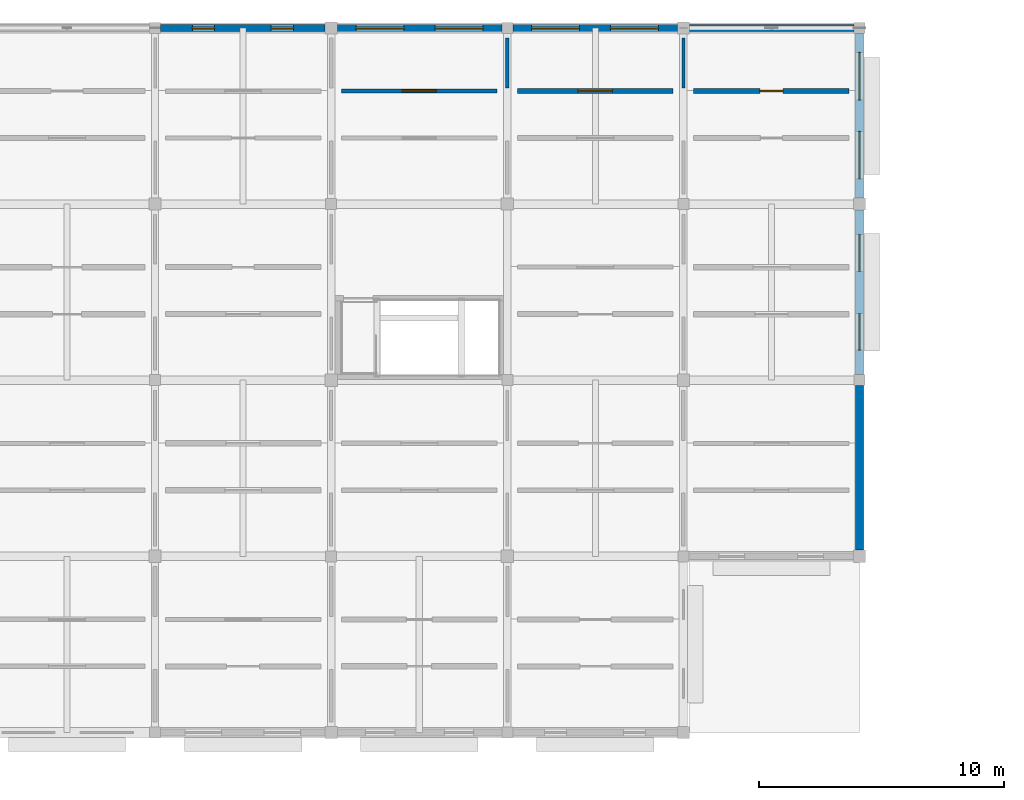
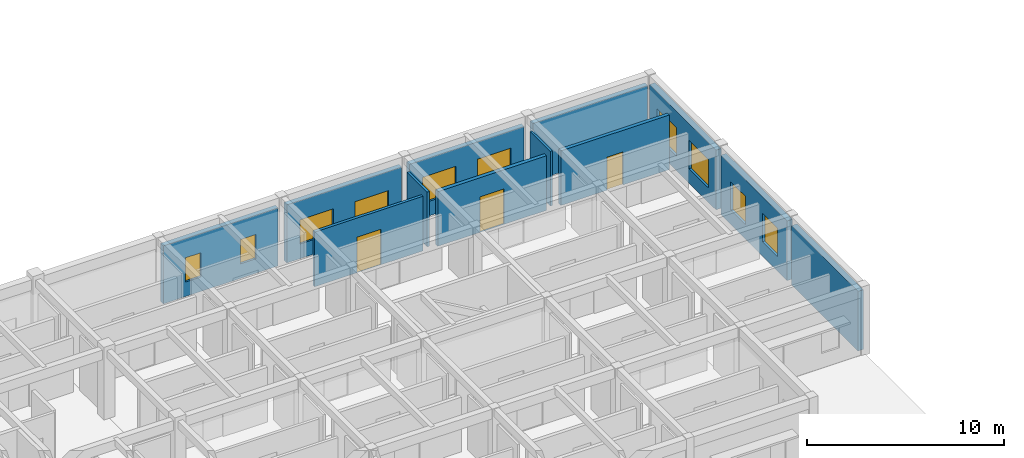
# One storey, part 77 of 91: 12 walls, 10 windows, 3 doors, 13 openings.
"""IFC4 building model written with IfcOpenShell, lengths in metres."""

from ifc_helpers import new_model, si_unit, direction, frame, frame_2d, origin, place, context, subcontext, project, spatial, rectangle, extrude, material, layer, layer_set, type_object, element, fill, save


model = new_model("IFC4")

# Units and contexts
model_context = context("Model", 3, precision=1e-05, world=origin(), true_north=direction((0.0, 1.0)))
body_context = subcontext(model_context, "Body", "Model", "MODEL_VIEW")
ifc_project = project(units=[si_unit("LENGTHUNIT", "METRE"), si_unit("AREAUNIT", "SQUARE_METRE"), si_unit("VOLUMEUNIT", "CUBIC_METRE"), si_unit("PLANEANGLEUNIT", "RADIAN"), si_unit("MASSUNIT", "GRAM", prefix="KILO")], contexts=[model_context])

# Site, building, storey
site_placement = place(None, origin())
site = spatial("IfcSite", under=ifc_project, at=site_placement, CompositionType="ELEMENT")
building_placement = place(site_placement, origin())
building = spatial("IfcBuilding", under=site, at=building_placement, Name="Aldebral Square Health Centre", CompositionType="ELEMENT")
storey_placement = place(building_placement, frame((0.0, 0.0, 9.0)))
storey = spatial("IfcBuildingStorey", under=building, at=storey_placement, Name="L02", CompositionType="ELEMENT", Elevation=9.0)

# Wall, openings, windows
ifc_material_1 = material(Name="Ochre mineral-rendered concrete C35/45 court wall", Category="concrete")
ifc_layer_1 = layer(ifc_material_1, 0.280029296875, Name="Ochre mineral-rendered concrete C35/45 court wall", Category="concrete")
ifc_layer_set_1 = layer_set([ifc_layer_1], Name="Ochre mineral-rendered concrete C35/45 court wall")
wall_type_1 = type_object("IfcWallType", Name="EW-OCH-280", PredefinedType="STANDARD", material=ifc_layer_set_1)
wall_1_placement = place(storey_placement, frame((42.949951171875, 115.199951171875, 0.0), z_axis=(0.0, 0.0, 1.0), x_axis=(-1.0, 0.0, 0.0)))
wall_1 = element("IfcWall", 1, at=wall_1_placement, inside=storey, type_object=wall_type_1, Name="L02 V2 exterior wall L02-V2-05-15-N", PredefinedType="STANDARD", context=body_context, shape_type="SweptSolid", body=[
    extrude(rectangle(XDim=6.724853515625, YDim=0.280029296875, at=frame_2d((3.3623046875, 0.0))), origin(), (0.0, 0.0, 1.0), 3.590087890625),
])
opening_1_placement = place(wall_1_placement, frame((1.300048828125, 0.0, 0.89990234375)))
opening_1 = element("IfcOpeningElement", 2, at=opening_1_placement, cuts=wall_1, Name="Opening W19", PredefinedType="OPENING", context=body_context, shape_type="SweptSolid", body=[
    extrude(rectangle(XDim=0.89990234375, YDim=1.5, at=frame_2d((0.449951171875, 0.75))), frame((0.0, 0.14990234375, 0.0), z_axis=(0.0, -1.0, 0.0), x_axis=(1.0, 0.0, 0.0)), (0.0, 0.0, 1.0), 0.300048828125),
])
opening_2_placement = place(wall_1_placement, frame((4.52490234375, 0.0, 0.89990234375)))
opening_2 = element("IfcOpeningElement", 3, at=opening_2_placement, cuts=wall_1, Name="Opening W19", PredefinedType="OPENING", context=body_context, shape_type="SweptSolid", body=[
    extrude(rectangle(XDim=0.89990234375, YDim=1.5, at=frame_2d((0.449951171875, 0.75))), frame((0.0, 0.14990234375, 0.0), z_axis=(0.0, -1.0, 0.0), x_axis=(1.0, 0.0, 0.0)), (0.0, 0.0, 1.0), 0.300048828125),
])
ifc_material_2 = material(Name="Thermally broken aluminium and low-E glass", Category="aluminium")
window_type_1 = type_object("IfcWindowType", Name="WIN-W19", PartitioningType="SINGLE_PANEL", PredefinedType="WINDOW", material=ifc_material_2)
window_1_placement = place(opening_1_placement, origin())
window_1 = element("IfcWindow", 4, at=window_1_placement, inside=storey, type_object=window_type_1, Name="L02 clinical window L02-V2-05-15-N.1", OverallHeight=1.5, OverallWidth=0.89990234375, PartitioningType="SINGLE_PANEL", PredefinedType="WINDOW", context=body_context, shape_type="SweptSolid", body=[
    extrude(rectangle(XDim=0.89990234375, YDim=1.5, at=frame_2d((0.449951171875, 0.75))), frame((0.0, 0.030029296875, 0.0), z_axis=(0.0, -1.0, 0.0), x_axis=(1.0, 0.0, 0.0)), (0.0, 0.0, 1.0), 0.06005859375),
])
fill(opening_1, window_1)
window_2_placement = place(opening_2_placement, origin())
window_2 = element("IfcWindow", 5, at=window_2_placement, inside=storey, type_object=window_type_1, Name="L02 clinical window L02-V2-05-15-N.2", OverallHeight=1.5, OverallWidth=0.89990234375, PartitioningType="SINGLE_PANEL", PredefinedType="WINDOW", context=body_context, shape_type="SweptSolid", body=[
    extrude(rectangle(XDim=0.89990234375, YDim=1.5, at=frame_2d((0.449951171875, 0.75))), frame((0.0, 0.030029296875, 0.0), z_axis=(0.0, -1.0, 0.0), x_axis=(1.0, 0.0, 0.0)), (0.0, 0.0, 1.0), 0.06005859375),
])
fill(opening_2, window_2)

wall_2_placement = place(storey_placement, frame((50.175048828125, 115.199951171875, 0.0), z_axis=(0.0, 0.0, 1.0), x_axis=(-1.0, 0.0, 0.0)))
wall_2 = element("IfcWall", 6, at=wall_2_placement, inside=storey, type_object=wall_type_1, Name="L02 V2 exterior wall L02-V2-06-15-N", PredefinedType="STANDARD", context=body_context, shape_type="SweptSolid", body=[
    extrude(rectangle(XDim=6.72509765625, YDim=0.280029296875, at=frame_2d((3.362548828125, 0.0))), origin(), (0.0, 0.0, 1.0), 3.590087890625),
])
opening_3_placement = place(wall_2_placement, frame((0.77490234375, 0.0, 0.89990234375)))
opening_3 = element("IfcOpeningElement", 7, at=opening_3_placement, cuts=wall_2, Name="Opening W26", PredefinedType="OPENING", context=body_context, shape_type="SweptSolid", body=[
    extrude(rectangle(XDim=1.949951171875, YDim=1.5, at=frame_2d((0.97509765625, 0.75))), frame((0.0, 0.14990234375, 0.0), z_axis=(0.0, -1.0, 0.0), x_axis=(1.0, 0.0, 0.0)), (0.0, 0.0, 1.0), 0.300048828125),
])
opening_4_placement = place(wall_2_placement, frame((4.0, 0.0, 0.89990234375)))
opening_4 = element("IfcOpeningElement", 8, at=opening_4_placement, cuts=wall_2, Name="Opening W26", PredefinedType="OPENING", context=body_context, shape_type="SweptSolid", body=[
    extrude(rectangle(XDim=1.949951171875, YDim=1.5, at=frame_2d((0.97509765625, 0.75))), frame((0.0, 0.14990234375, 0.0), z_axis=(0.0, -1.0, 0.0), x_axis=(1.0, 0.0, 0.0)), (0.0, 0.0, 1.0), 0.300048828125),
])
window_type_2 = type_object("IfcWindowType", Name="WIN-W26", PartitioningType="SINGLE_PANEL", PredefinedType="WINDOW", material=ifc_material_2)
window_3_placement = place(opening_3_placement, origin())
window_3 = element("IfcWindow", 9, at=window_3_placement, inside=storey, type_object=window_type_2, Name="L02 clinical window L02-V2-06-15-N.1", OverallHeight=1.5, OverallWidth=1.949951171875, PartitioningType="SINGLE_PANEL", PredefinedType="WINDOW", context=body_context, shape_type="SweptSolid", body=[
    extrude(rectangle(XDim=1.949951171875, YDim=1.5, at=frame_2d((0.97509765625, 0.75))), frame((0.0, 0.030029296875, 0.0), z_axis=(0.0, -1.0, 0.0), x_axis=(1.0, 0.0, 0.0)), (0.0, 0.0, 1.0), 0.06005859375),
])
fill(opening_3, window_3)
window_4_placement = place(opening_4_placement, origin())
window_4 = element("IfcWindow", 10, at=window_4_placement, inside=storey, type_object=window_type_2, Name="L02 clinical window L02-V2-06-15-N.2", OverallHeight=1.5, OverallWidth=1.949951171875, PartitioningType="SINGLE_PANEL", PredefinedType="WINDOW", context=body_context, shape_type="SweptSolid", body=[
    extrude(rectangle(XDim=1.949951171875, YDim=1.5, at=frame_2d((0.97509765625, 0.75))), frame((0.0, 0.030029296875, 0.0), z_axis=(0.0, -1.0, 0.0), x_axis=(1.0, 0.0, 0.0)), (0.0, 0.0, 1.0), 0.06005859375),
])
fill(opening_4, window_4)

wall_3_placement = place(storey_placement, frame((57.35009765625, 115.199951171875, 0.0), z_axis=(0.0, 0.0, 1.0), x_axis=(-1.0, 0.0, 0.0)))
wall_3 = element("IfcWall", 11, at=wall_3_placement, inside=storey, type_object=wall_type_1, Name="L02 V2 exterior wall L02-V2-07-15-N", PredefinedType="STANDARD", context=body_context, shape_type="SweptSolid", body=[
    extrude(rectangle(XDim=6.72509765625, YDim=0.280029296875, at=frame_2d((3.362548828125, 0.0))), origin(), (0.0, 0.0, 1.0), 3.590087890625),
])
opening_5_placement = place(wall_3_placement, frame((0.77490234375, 0.0, 0.89990234375)))
opening_5 = element("IfcOpeningElement", 12, at=opening_5_placement, cuts=wall_3, Name="Opening W35", PredefinedType="OPENING", context=body_context, shape_type="SweptSolid", body=[
    extrude(rectangle(XDim=1.949951171875, YDim=1.6201171875, at=frame_2d((0.97509765625, 0.81005859375))), frame((0.0, 0.14990234375, 0.0), z_axis=(0.0, -1.0, 0.0), x_axis=(1.0, 0.0, 0.0)), (0.0, 0.0, 1.0), 0.300048828125),
])
opening_6_placement = place(wall_3_placement, frame((4.0, 0.0, 0.89990234375)))
opening_6 = element("IfcOpeningElement", 13, at=opening_6_placement, cuts=wall_3, Name="Opening W35", PredefinedType="OPENING", context=body_context, shape_type="SweptSolid", body=[
    extrude(rectangle(XDim=1.949951171875, YDim=1.6201171875, at=frame_2d((0.97509765625, 0.81005859375))), frame((0.0, 0.14990234375, 0.0), z_axis=(0.0, -1.0, 0.0), x_axis=(1.0, 0.0, 0.0)), (0.0, 0.0, 1.0), 0.300048828125),
])
window_type_3 = type_object("IfcWindowType", Name="WIN-W35", PartitioningType="SINGLE_PANEL", PredefinedType="WINDOW", material=ifc_material_2)
window_5_placement = place(opening_5_placement, origin())
window_5 = element("IfcWindow", 14, at=window_5_placement, inside=storey, type_object=window_type_3, Name="L02 clinical window L02-V2-07-15-N.1", OverallHeight=1.6201171875, OverallWidth=1.949951171875, PartitioningType="SINGLE_PANEL", PredefinedType="WINDOW", context=body_context, shape_type="SweptSolid", body=[
    extrude(rectangle(XDim=1.949951171875, YDim=1.6201171875, at=frame_2d((0.97509765625, 0.81005859375))), frame((0.0, 0.030029296875, 0.0), z_axis=(0.0, -1.0, 0.0), x_axis=(1.0, 0.0, 0.0)), (0.0, 0.0, 1.0), 0.06005859375),
])
fill(opening_5, window_5)
window_6_placement = place(opening_6_placement, origin())
window_6 = element("IfcWindow", 15, at=window_6_placement, inside=storey, type_object=window_type_3, Name="L02 clinical window L02-V2-07-15-N.2", OverallHeight=1.6201171875, OverallWidth=1.949951171875, PartitioningType="SINGLE_PANEL", PredefinedType="WINDOW", context=body_context, shape_type="SweptSolid", body=[
    extrude(rectangle(XDim=1.949951171875, YDim=1.6201171875, at=frame_2d((0.97509765625, 0.81005859375))), frame((0.0, 0.030029296875, 0.0), z_axis=(0.0, -1.0, 0.0), x_axis=(1.0, 0.0, 0.0)), (0.0, 0.0, 1.0), 0.06005859375),
])
fill(opening_6, window_6)

# Walls
wall_4_placement = place(storey_placement, frame((64.574951171875, 115.199951171875, 0.0), z_axis=(0.0, 0.0, 1.0), x_axis=(-1.0, 0.0, 0.0)))
element("IfcWall", 16, at=wall_4_placement, inside=storey, type_object=wall_type_1, Name="L02 V2 exterior wall L02-V2-08-15-N", PredefinedType="STANDARD", context=body_context, shape_type="SweptSolid", body=[
    extrude(rectangle(XDim=6.724853515625, YDim=0.280029296875, at=frame_2d((3.3623046875, 0.0))), origin(), (0.0, 0.0, 1.0), 3.590087890625),
])
ifc_material_3 = material(Name="Precast concrete C40/50 insulated panel", Category="concrete")
ifc_layer_2 = layer(ifc_material_3, 0.320068359375, Name="Precast concrete C40/50 insulated panel", Category="concrete")
ifc_layer_set_2 = layer_set([ifc_layer_2], Name="Precast concrete C40/50 insulated panel")
wall_type_2 = type_object("IfcWallType", Name="EW-PRE-320", PredefinedType="STANDARD", material=ifc_layer_set_2)
wall_5_placement = place(storey_placement, frame((64.800048828125, 93.85009765625, 0.0), z_axis=(0.0, 0.0, 1.0), x_axis=(0.0, 1.0, 0.0)))
element("IfcWall", 17, at=wall_5_placement, inside=storey, type_object=wall_type_2, Name="L02 V2 exterior wall L02-V2-08-13-E", PredefinedType="STANDARD", context=body_context, shape_type="SweptSolid", body=[
    extrude(rectangle(XDim=6.724853515625, YDim=0.320068359375, at=frame_2d((3.3623046875, 0.0))), origin(), (0.0, 0.0, 1.0), 3.68994140625),
])

# Wall, openings, windows
wall_6_placement = place(storey_placement, frame((64.800048828125, 101.02490234375, 0.0), z_axis=(0.0, 0.0, 1.0), x_axis=(0.0, 1.0, 0.0)))
wall_6 = element("IfcWall", 18, at=wall_6_placement, inside=storey, type_object=wall_type_2, Name="L02 V2 exterior wall L02-V2-08-14-E", PredefinedType="STANDARD", context=body_context, shape_type="SweptSolid", body=[
    extrude(rectangle(XDim=6.72509765625, YDim=0.320068359375, at=frame_2d((3.362548828125, 0.0))), origin(), (0.0, 0.0, 1.0), 3.68994140625),
])
opening_7_placement = place(wall_6_placement, frame((1.0, 0.0, 0.89990234375)))
opening_7 = element("IfcOpeningElement", 19, at=opening_7_placement, cuts=wall_6, Name="Opening W41", PredefinedType="OPENING", context=body_context, shape_type="SweptSolid", body=[
    extrude(rectangle(XDim=1.5, YDim=1.75, at=frame_2d((0.75, 0.875))), frame((0.0, 0.169921875, 0.0), z_axis=(0.0, -1.0, 0.0), x_axis=(1.0, 0.0, 0.0)), (0.0, 0.0, 1.0), 0.340087890625),
])
opening_8_placement = place(wall_6_placement, frame((4.22509765625, 0.0, 0.89990234375)))
opening_8 = element("IfcOpeningElement", 20, at=opening_8_placement, cuts=wall_6, Name="Opening W41", PredefinedType="OPENING", context=body_context, shape_type="SweptSolid", body=[
    extrude(rectangle(XDim=1.5, YDim=1.75, at=frame_2d((0.75, 0.875))), frame((0.0, 0.169921875, 0.0), z_axis=(0.0, -1.0, 0.0), x_axis=(1.0, 0.0, 0.0)), (0.0, 0.0, 1.0), 0.340087890625),
])
window_type_4 = type_object("IfcWindowType", Name="WIN-W41", PartitioningType="SINGLE_PANEL", PredefinedType="WINDOW", material=ifc_material_2)
window_7_placement = place(opening_7_placement, origin())
window_7 = element("IfcWindow", 21, at=window_7_placement, inside=storey, type_object=window_type_4, Name="L02 clinical window L02-V2-08-14-E.1", OverallHeight=1.75, OverallWidth=1.5, PartitioningType="SINGLE_PANEL", PredefinedType="WINDOW", context=body_context, shape_type="SweptSolid", body=[
    extrude(rectangle(XDim=1.5, YDim=1.75, at=frame_2d((0.75, 0.875))), frame((0.0, 0.030029296875, 0.0), z_axis=(0.0, -1.0, 0.0), x_axis=(1.0, 0.0, 0.0)), (0.0, 0.0, 1.0), 0.06005859375),
])
fill(opening_7, window_7)
window_8_placement = place(opening_8_placement, origin())
window_8 = element("IfcWindow", 22, at=window_8_placement, inside=storey, type_object=window_type_4, Name="L02 clinical window L02-V2-08-14-E.2", OverallHeight=1.75, OverallWidth=1.5, PartitioningType="SINGLE_PANEL", PredefinedType="WINDOW", context=body_context, shape_type="SweptSolid", body=[
    extrude(rectangle(XDim=1.5, YDim=1.75, at=frame_2d((0.75, 0.875))), frame((0.0, 0.030029296875, 0.0), z_axis=(0.0, -1.0, 0.0), x_axis=(1.0, 0.0, 0.0)), (0.0, 0.0, 1.0), 0.06005859375),
])
fill(opening_8, window_8)

wall_7_placement = place(storey_placement, frame((64.800048828125, 108.25, 0.0), z_axis=(0.0, 0.0, 1.0), x_axis=(0.0, 1.0, 0.0)))
wall_7 = element("IfcWall", 23, at=wall_7_placement, inside=storey, type_object=wall_type_2, Name="L02 V2 exterior wall L02-V2-08-15-E", PredefinedType="STANDARD", context=body_context, shape_type="SweptSolid", body=[
    extrude(rectangle(XDim=6.72509765625, YDim=0.320068359375, at=frame_2d((3.362548828125, 0.0))), origin(), (0.0, 0.0, 1.0), 3.68994140625),
])
opening_9_placement = place(wall_7_placement, frame((0.77490234375, 0.0, 0.89990234375)))
opening_9 = element("IfcOpeningElement", 24, at=opening_9_placement, cuts=wall_7, Name="Opening W44", PredefinedType="OPENING", context=body_context, shape_type="SweptSolid", body=[
    extrude(rectangle(XDim=1.949951171875, YDim=1.75, at=frame_2d((0.97509765625, 0.875))), frame((0.0, 0.169921875, 0.0), z_axis=(0.0, -1.0, 0.0), x_axis=(1.0, 0.0, 0.0)), (0.0, 0.0, 1.0), 0.340087890625),
])
opening_10_placement = place(wall_7_placement, frame((4.0, 0.0, 0.89990234375)))
opening_10 = element("IfcOpeningElement", 25, at=opening_10_placement, cuts=wall_7, Name="Opening W44", PredefinedType="OPENING", context=body_context, shape_type="SweptSolid", body=[
    extrude(rectangle(XDim=1.949951171875, YDim=1.75, at=frame_2d((0.97509765625, 0.875))), frame((0.0, 0.169921875, 0.0), z_axis=(0.0, -1.0, 0.0), x_axis=(1.0, 0.0, 0.0)), (0.0, 0.0, 1.0), 0.340087890625),
])
window_type_5 = type_object("IfcWindowType", Name="WIN-W44", PartitioningType="SINGLE_PANEL", PredefinedType="WINDOW", material=ifc_material_2)
window_9_placement = place(opening_9_placement, origin())
window_9 = element("IfcWindow", 26, at=window_9_placement, inside=storey, type_object=window_type_5, Name="L02 clinical window L02-V2-08-15-E.1", OverallHeight=1.75, OverallWidth=1.949951171875, PartitioningType="SINGLE_PANEL", PredefinedType="WINDOW", context=body_context, shape_type="SweptSolid", body=[
    extrude(rectangle(XDim=1.949951171875, YDim=1.75, at=frame_2d((0.97509765625, 0.875))), frame((0.0, 0.030029296875, 0.0), z_axis=(0.0, -1.0, 0.0), x_axis=(1.0, 0.0, 0.0)), (0.0, 0.0, 1.0), 0.06005859375),
])
fill(opening_9, window_9)
window_10_placement = place(opening_10_placement, origin())
window_10 = element("IfcWindow", 27, at=window_10_placement, inside=storey, type_object=window_type_5, Name="L02 clinical window L02-V2-08-15-E.2", OverallHeight=1.75, OverallWidth=1.949951171875, PartitioningType="SINGLE_PANEL", PredefinedType="WINDOW", context=body_context, shape_type="SweptSolid", body=[
    extrude(rectangle(XDim=1.949951171875, YDim=1.75, at=frame_2d((0.97509765625, 0.875))), frame((0.0, 0.030029296875, 0.0), z_axis=(0.0, -1.0, 0.0), x_axis=(1.0, 0.0, 0.0)), (0.0, 0.0, 1.0), 0.06005859375),
])
fill(opening_10, window_10)

# Wall, opening, door
ifc_material_4 = material(Name="Concrete C35/45 compartment wall", Category="concrete")
ifc_layer_3 = layer(ifc_material_4, 0.219970703125, Name="Concrete C35/45 compartment wall", Category="concrete")
ifc_layer_set_3 = layer_set([ifc_layer_3], Name="Concrete C35/45 compartment wall")
wall_type_3 = type_object("IfcWallType", Name="IW-CMP-220", PredefinedType="SOLIDWALL", material=ifc_layer_set_3)
wall_8_placement = place(storey_placement, frame((50.820068359375, 112.6201171875, 0.0), z_axis=(0.0, 0.0, 1.0), x_axis=(1.0, 0.0, 0.0)))
wall_8 = element("IfcWall", 28, at=wall_8_placement, inside=storey, type_object=wall_type_3, Name="L02 Post-Anaesthesia Recovery Bay 8.16N corridor wall", PredefinedType="SOLIDWALL", context=body_context, shape_type="SweptSolid", body=[
    extrude(rectangle(XDim=6.35986328125, YDim=0.219970703125, at=frame_2d((3.179931640625, 0.0))), origin(), (0.0, 0.0, 1.0), 3.3798828125),
])
opening_11_placement = place(wall_8_placement, frame((2.47998046875, 0.0, 0.0)))
opening_11 = element("IfcOpeningElement", 29, at=opening_11_placement, cuts=wall_8, Name="Opening D-0424", PredefinedType="OPENING", context=body_context, shape_type="SweptSolid", body=[
    extrude(rectangle(XDim=1.39990234375, YDim=2.199951171875, at=frame_2d((0.699951171875, 1.10009765625))), frame((0.0, 0.1201171875, 0.0), z_axis=(0.0, -1.0, 0.0), x_axis=(1.0, 0.0, 0.0)), (0.0, 0.0, 1.0), 0.239990234375),
])
ifc_material_5 = material(Name="Surgical recovery fire door")
door_type_1 = type_object("IfcDoorType", Name="ID-OR-140", OperationType="NOTDEFINED", PredefinedType="DOOR", material=ifc_material_5)
door_1_placement = place(opening_11_placement, origin())
door_1 = element("IfcDoor", 30, at=door_1_placement, inside=storey, type_object=door_type_1, Name="L02 Post-Anaesthesia Recovery Bay 8.16N door", OperationType="SINGLE_SWING_LEFT", OverallHeight=2.199951171875, OverallWidth=1.39990234375, PredefinedType="DOOR", context=body_context, shape_type="SweptSolid", body=[
    extrude(rectangle(XDim=1.39990234375, YDim=2.199951171875, at=frame_2d((0.699951171875, 1.10009765625))), frame((0.0, 0.02490234375, 0.0), z_axis=(0.0, -1.0, 0.0), x_axis=(1.0, 0.0, 0.0)), (0.0, 0.0, 1.0), 0.050048828125),
])
fill(opening_11, door_1)

ifc_material_6 = material(Name="Fire-rated acoustic gypsum partition")
ifc_layer_4 = layer(ifc_material_6, 0.1650390625, Name="Fire-rated acoustic gypsum partition")
ifc_layer_set_4 = layer_set([ifc_layer_4], Name="Fire-rated acoustic gypsum partition")
wall_type_4 = type_object("IfcWallType", Name="IW-COR-165", PredefinedType="PARTITIONING", material=ifc_layer_set_4)
wall_9_placement = place(storey_placement, frame((43.6201171875, 112.6201171875, 0.0), z_axis=(0.0, 0.0, 1.0), x_axis=(1.0, 0.0, 0.0)))
wall_9 = element("IfcWall", 31, at=wall_9_placement, inside=storey, type_object=wall_type_4, Name="L02 Pre-Operative Preparation 7.16N corridor wall", PredefinedType="PARTITIONING", context=body_context, shape_type="SweptSolid", body=[
    extrude(rectangle(XDim=6.35986328125, YDim=0.1650390625, at=frame_2d((3.179931640625, 0.0))), origin(), (0.0, 0.0, 1.0), 3.3798828125),
])
opening_12_placement = place(wall_9_placement, frame((2.47998046875, 0.0, 0.0)))
opening_12 = element("IfcOpeningElement", 32, at=opening_12_placement, cuts=wall_9, Name="Opening D-0416", PredefinedType="OPENING", context=body_context, shape_type="SweptSolid", body=[
    extrude(rectangle(XDim=1.39990234375, YDim=2.199951171875, at=frame_2d((0.699951171875, 1.10009765625))), frame((0.0, 0.092529296875, 0.0), z_axis=(0.0, -1.0, 0.0), x_axis=(1.0, 0.0, 0.0)), (0.0, 0.0, 1.0), 0.18505859375),
])
door_2_placement = place(opening_12_placement, origin())
door_2 = element("IfcDoor", 33, at=door_2_placement, inside=storey, type_object=door_type_1, Name="L02 Pre-Operative Preparation 7.16N door", OperationType="SINGLE_SWING_LEFT", OverallHeight=2.199951171875, OverallWidth=1.39990234375, PredefinedType="DOOR", context=body_context, shape_type="SweptSolid", body=[
    extrude(rectangle(XDim=1.39990234375, YDim=2.199951171875, at=frame_2d((0.699951171875, 1.10009765625))), frame((0.0, 0.02490234375, 0.0), z_axis=(0.0, -1.0, 0.0), x_axis=(1.0, 0.0, 0.0)), (0.0, 0.0, 1.0), 0.050048828125),
])
fill(opening_12, door_2)

ifc_material_7 = material(Name="Moisture-resistant sanitary chase wall")
ifc_layer_5 = layer(ifc_material_7, 0.2099609375, Name="Moisture-resistant sanitary chase wall")
ifc_layer_set_5 = layer_set([ifc_layer_5], Name="Moisture-resistant sanitary chase wall")
wall_type_5 = type_object("IfcWallType", Name="IW-PLB-210", PredefinedType="PLUMBINGWALL", material=ifc_layer_set_5)
wall_10_placement = place(storey_placement, frame((58.02001953125, 112.6201171875, 0.0), z_axis=(0.0, 0.0, 1.0), x_axis=(1.0, 0.0, 0.0)))
wall_10 = element("IfcWall", 34, at=wall_10_placement, inside=storey, type_object=wall_type_5, Name="L02 Accessible WC 9.16N corridor wall", PredefinedType="PLUMBINGWALL", context=body_context, shape_type="SweptSolid", body=[
    extrude(rectangle(XDim=6.35986328125, YDim=0.2099609375, at=frame_2d((3.179931640625, 0.0))), origin(), (0.0, 0.0, 1.0), 3.3798828125),
])
opening_13_placement = place(wall_10_placement, frame((2.7099609375, 0.0, 0.0)))
opening_13 = element("IfcOpeningElement", 35, at=opening_13_placement, cuts=wall_10, Name="Opening D-0430", PredefinedType="OPENING", context=body_context, shape_type="SweptSolid", body=[
    extrude(rectangle(XDim=0.93994140625, YDim=2.0400390625, at=frame_2d((0.469970703125, 1.02001953125))), frame((0.0, 0.114990234375, 0.0), z_axis=(0.0, -1.0, 0.0), x_axis=(1.0, 0.0, 0.0)), (0.0, 0.0, 1.0), 0.22998046875),
])
ifc_material_8 = material(Name="Clinical suite fire door")
door_type_2 = type_object("IfcDoorType", Name="ID-EXD-01", OperationType="NOTDEFINED", PredefinedType="DOOR", material=ifc_material_8)
door_3_placement = place(opening_13_placement, origin())
door_3 = element("IfcDoor", 36, at=door_3_placement, inside=storey, type_object=door_type_2, Name="L02 Accessible WC 9.16N door", OperationType="SINGLE_SWING_LEFT", OverallHeight=2.0400390625, OverallWidth=0.93994140625, PredefinedType="DOOR", context=body_context, shape_type="SweptSolid", body=[
    extrude(rectangle(XDim=0.93994140625, YDim=2.0400390625, at=frame_2d((0.469970703125, 1.02001953125))), frame((0.0, 0.02490234375, 0.0), z_axis=(0.0, -1.0, 0.0), x_axis=(1.0, 0.0, 0.0)), (0.0, 0.0, 1.0), 0.050048828125),
])
fill(opening_13, door_3)

# Walls
ifc_material_9 = material(Name="Acoustic clinical gypsum partition")
ifc_layer_6 = layer(ifc_material_9, 0.1201171875, Name="Acoustic clinical gypsum partition")
ifc_layer_set_6 = layer_set([ifc_layer_6], Name="Acoustic clinical gypsum partition")
wall_type_6 = type_object("IfcWallType", Name="IW-PRT-120", PredefinedType="PARTITIONING", material=ifc_layer_set_6)
wall_11_placement = place(storey_placement, frame((57.60009765625, 112.739990234375, 0.0), z_axis=(0.0, 0.0, 1.0), x_axis=(0.0, 1.0, 0.0)))
element("IfcWall", 37, at=wall_11_placement, inside=storey, type_object=wall_type_6, Name="L02 Post-Anaesthesia Recovery Bay 8.16N demising partition", PredefinedType="PARTITIONING", context=body_context, shape_type="SweptSolid", body=[
    extrude(rectangle(XDim=2.0400390625, YDim=0.1201171875, at=frame_2d((1.02001953125, 0.0))), origin(), (0.0, 0.0, 1.0), 3.3798828125),
])
ifc_layer_7 = layer(ifc_material_9, 0.135009765625, Name="Acoustic clinical gypsum partition")
ifc_layer_set_7 = layer_set([ifc_layer_7], Name="Acoustic clinical gypsum partition")
wall_type_7 = type_object("IfcWallType", Name="IW-PRT-135", PredefinedType="PARTITIONING", material=ifc_layer_set_7)
wall_12_placement = place(storey_placement, frame((50.39990234375, 112.739990234375, 0.0), z_axis=(0.0, 0.0, 1.0), x_axis=(0.0, 1.0, 0.0)))
element("IfcWall", 38, at=wall_12_placement, inside=storey, type_object=wall_type_7, Name="L02 Pre-Operative Preparation 7.16N demising partition", PredefinedType="PARTITIONING", context=body_context, shape_type="SweptSolid", body=[
    extrude(rectangle(XDim=2.0400390625, YDim=0.135009765625, at=frame_2d((1.02001953125, 0.0))), origin(), (0.0, 0.0, 1.0), 3.3798828125),
])

save(model, "model.ifc")
